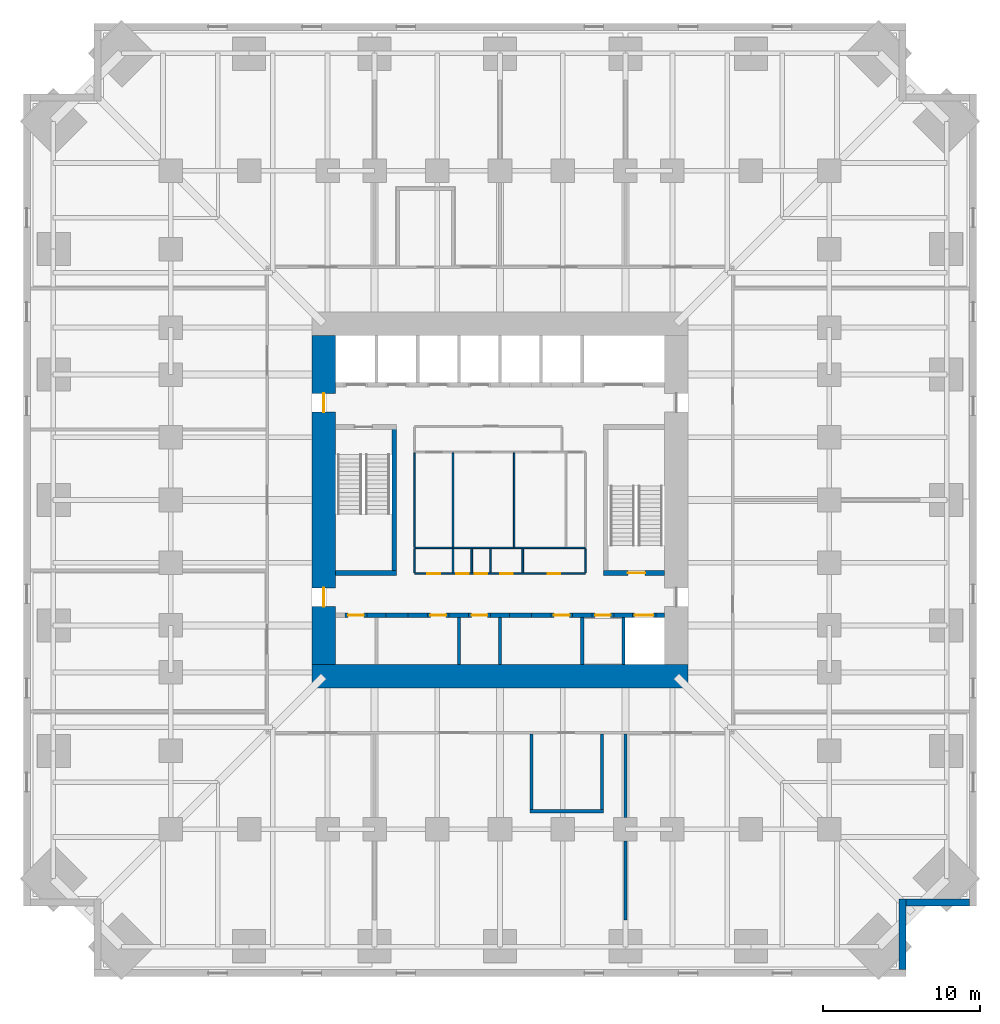
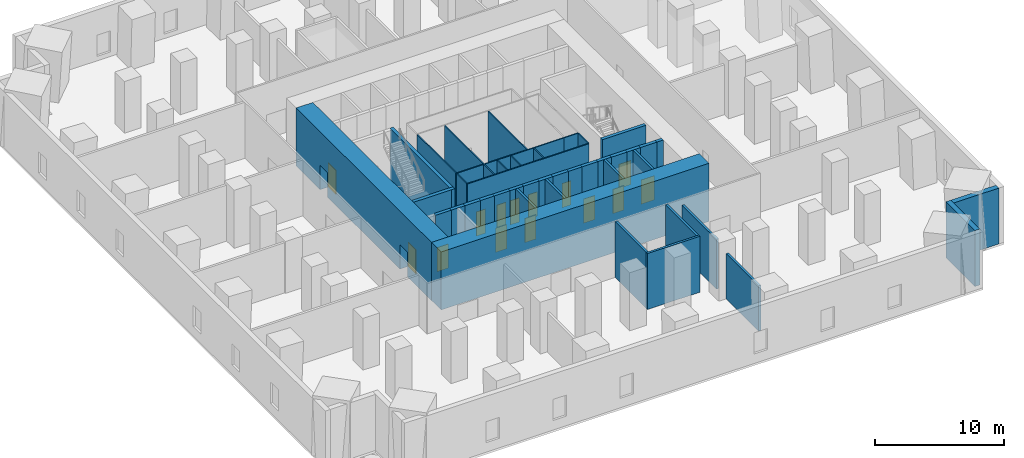
# One storey, part 4 of 8: 44 walls, 14 doors, 14 openings.
"""IFC4 building model written with IfcOpenShell, lengths in metres."""

from ifc_helpers import new_model, si_unit, direction, frame, frame_2d, origin, place, context, subcontext, project, spatial, rectangle, extrude, material, layer, layer_set, type_object, element, fill, save


model = new_model("IFC4")

# Units and contexts
model_context = context("Model", 3, precision=1e-05, world=origin(), true_north=direction((0.0, 1.0)))
body_context = subcontext(model_context, "Body", "Model", "MODEL_VIEW")
ifc_project = project(units=[si_unit("LENGTHUNIT", "METRE"), si_unit("AREAUNIT", "SQUARE_METRE"), si_unit("VOLUMEUNIT", "CUBIC_METRE"), si_unit("PLANEANGLEUNIT", "RADIAN"), si_unit("MASSUNIT", "GRAM", prefix="KILO")], contexts=[model_context])

# Site, building, storey
site_placement = place(None, origin())
site = spatial("IfcSite", under=ifc_project, at=site_placement, CompositionType="ELEMENT")
building_placement = place(site_placement, origin())
building = spatial("IfcBuilding", under=site, at=building_placement, Name="Peilmerk Tower", CompositionType="ELEMENT")
storey_placement = place(building_placement, frame((0.0, 0.0, 59.5)))
storey = spatial("IfcBuildingStorey", under=building, at=storey_placement, Name="L11", CompositionType="ELEMENT", Elevation=59.5)

# Walls
ifc_material_1 = material(Name="Precast concrete C45/55, board-marked finish", Category="concrete")
ifc_layer_1 = layer(ifc_material_1, 0.449951171875)
ifc_layer_set_1 = layer_set([ifc_layer_1], Name="Precast concrete C45/55, board-marked finish")
wall_type_1 = type_object("IfcWallType", Name="EW1 450 precast concrete facade wall, board-marked", PredefinedType="SOLIDWALL", material=ifc_layer_set_1)
wall_1_placement = place(storey_placement, frame((25.675048828125, -25.449951171875, 0.0), z_axis=(0.0, 0.0, 1.0), x_axis=(0.0, -1.0, 0.0)))
element("IfcWall", 1, at=wall_1_placement, inside=storey, type_object=wall_type_1, Name="Facade wall SEA L11", PredefinedType="SOLIDWALL", context=body_context, shape_type="SweptSolid", body=[
    extrude(rectangle(XDim=4.5, YDim=0.449951171875, at=frame_2d((2.25, 0.0))), origin(), (0.0, 0.0, 1.0), 5.300048828125),
])
wall_2_placement = place(storey_placement, frame((25.89990234375, -25.675048828125, 0.0), z_axis=(0.0, 0.0, 1.0), x_axis=(1.0, 0.0, 0.0)))
element("IfcWall", 2, at=wall_2_placement, inside=storey, type_object=wall_type_1, Name="Facade wall SEB L11", PredefinedType="SOLIDWALL", context=body_context, shape_type="SweptSolid", body=[
    extrude(rectangle(XDim=4.050048828125, YDim=0.449951171875, at=frame_2d((2.02490234375, 0.0))), origin(), (0.0, 0.0, 1.0), 5.300048828125),
])
ifc_material_2 = material(Name="Calcium silicate block", Category="masonry")
ifc_layer_2 = layer(ifc_material_2, 0.199951171875)
ifc_layer_set_2 = layer_set([ifc_layer_2], Name="Calcium silicate block")
wall_type_2 = type_object("IfcWallType", Name="IW2 200 room separating wall, EI 120", PredefinedType="PARTITIONING", material=ifc_layer_set_2)
wall_3_placement = place(storey_placement, frame((8.0, -14.925048828125, 0.0), z_axis=(0.0, 0.0, 1.0), x_axis=(0.0, -1.0, 0.0)))
element("IfcWall", 3, at=wall_3_placement, inside=storey, type_object=wall_type_2, Name="Room separating wall S2 L11", PredefinedType="PARTITIONING", context=body_context, shape_type="SweptSolid", body=[
    extrude(rectangle(XDim=5.324951171875, YDim=0.199951171875, at=frame_2d((2.66259765625, 0.0))), origin(), (0.0, 0.0, 1.0), 4.73095703125),
])
wall_4_placement = place(storey_placement, frame((8.0, -21.75, 0.0), z_axis=(0.0, 0.0, 1.0), x_axis=(0.0, -1.0, 0.0)))
element("IfcWall", 4, at=wall_4_placement, inside=storey, type_object=wall_type_2, Name="Room separating wall S2b L11", PredefinedType="PARTITIONING", context=body_context, shape_type="SweptSolid", body=[
    extrude(rectangle(XDim=5.040771484375, YDim=0.199951171875, at=frame_2d((2.5205078125, 0.0))), origin(), (0.0, 0.0, 1.0), 4.300048828125),
])
wall_5_placement = place(storey_placement, frame((1.89990234375, -19.85009765625, 0.0), z_axis=(0.0, 0.0, 1.0), x_axis=(1.0, 0.0, 0.0)))
element("IfcWall", 5, at=wall_5_placement, inside=storey, type_object=wall_type_2, Name="Room separating wall Security control room L11", PredefinedType="PARTITIONING", context=body_context, shape_type="SweptSolid", body=[
    extrude(rectangle(XDim=4.7001953125, YDim=0.199951171875, at=frame_2d((2.35009765625, 0.0))), origin(), (0.0, 0.0, 1.0), 5.300048828125),
])
for number, where, z_axis, x_axis, name in (
    (6, (2.0, -14.925048828125, 0.0), (0.0, 0.0, 1.0), (0.0, -1.0, 0.0), "Room separating wall Security control room L11"),
    (7, (6.5, -14.925048828125, 0.0), (0.0, 0.0, 1.0), (0.0, -1.0, 0.0), "Room separating wall Security control room L11"),
):
    element("IfcWall", number, at=place(storey_placement, frame(where, z_axis=z_axis, x_axis=x_axis)), inside=storey, type_object=wall_type_2, Name=name, PredefinedType="PARTITIONING", context=body_context, shape_type="SweptSolid", body=[
        extrude(rectangle(XDim=4.824951171875, YDim=0.199951171875, at=frame_2d((2.41259765625, 0.0))), origin(), (0.0, 0.0, 1.0), 5.300048828125),
    ])
ifc_material_3 = material(Name="Concrete C35/45", Category="concrete")
ifc_layer_3 = layer(ifc_material_3, 0.300048828125)
ifc_layer_set_3 = layer_set([ifc_layer_3], Name="Concrete C35/45")
wall_type_3 = type_object("IfcWallType", Name="IW3 300 concrete stair enclosure wall, EI 120", PredefinedType="SOLIDWALL", material=ifc_layer_set_3)
wall_6_placement = place(storey_placement, frame((-6.75, -4.800048828125, 0.0), z_axis=(0.0, 0.0, 1.0), x_axis=(0.0, 1.0, 0.0)))
element("IfcWall", 8, at=wall_6_placement, inside=storey, type_object=wall_type_3, Name="Stair 1 enclosure L11", PredefinedType="SOLIDWALL", context=body_context, shape_type="SweptSolid", body=[
    extrude(rectangle(XDim=9.60009765625, YDim=0.300048828125, at=frame_2d((4.800048828125, 0.0))), origin(), (0.0, 0.0, 1.0), 5.25),
])
wall_7_placement = place(storey_placement, frame((-6.60009765625, -4.64990234375, 0.0), z_axis=(0.0, 0.0, 1.0), x_axis=(-1.0, 0.0, 0.0)))
element("IfcWall", 9, at=wall_7_placement, inside=storey, type_object=wall_type_3, Name="Stair 1 enclosure L11", PredefinedType="SOLIDWALL", context=body_context, shape_type="SweptSolid", body=[
    extrude(rectangle(XDim=3.89990234375, YDim=0.300048828125, at=frame_2d((1.949951171875, 0.0))), origin(), (0.0, 0.0, 1.0), 5.25),
])

# Wall, opening, door
wall_8_placement = place(storey_placement, frame((10.5, -4.64990234375, 0.0), z_axis=(0.0, 0.0, 1.0), x_axis=(-1.0, 0.0, 0.0)))
wall_8 = element("IfcWall", 10, at=wall_8_placement, inside=storey, type_object=wall_type_3, Name="Stair 2 enclosure L11", PredefinedType="SOLIDWALL", context=body_context, shape_type="SweptSolid", body=[
    extrude(rectangle(XDim=3.89990234375, YDim=0.300048828125, at=frame_2d((1.949951171875, 0.0))), origin(), (0.0, 0.0, 1.0), 5.25),
])
opening_1_placement = place(wall_8_placement, frame((1.25, 0.0, 0.0)))
opening_1 = element("IfcOpeningElement", 11, at=opening_1_placement, cuts=wall_8, Name="Opening D4", PredefinedType="OPENING", context=body_context, shape_type="SweptSolid", body=[
    extrude(rectangle(XDim=1.10009765625, YDim=2.300048828125, at=frame_2d((0.550048828125, 1.14990234375))), frame((0.0, 0.159912109375, 0.0), z_axis=(0.0, -1.0, 0.0), x_axis=(1.0, 0.0, 0.0)), (0.0, 0.0, 1.0), 0.320068359375),
])
ifc_material_4 = material(Name="Steel door in steel frame", Category="steel")
door_type_1 = type_object("IfcDoorType", Name="D4 1100x2300 stair door, EI2 60", OperationType="SINGLE_SWING_RIGHT", PredefinedType="DOOR", material=ifc_material_4)
door_1_placement = place(opening_1_placement, frame((1.10009765625, 0.0, 0.0), z_axis=(0.0, 0.0, 1.0), x_axis=(-1.0, 0.0, 0.0)))
door_1 = element("IfcDoor", 12, at=door_1_placement, inside=storey, type_object=door_type_1, Name="Stair 2 door L11", OperationType="SINGLE_SWING_RIGHT", OverallHeight=2.300048828125, OverallWidth=1.10009765625, PredefinedType="DOOR", context=body_context, shape_type="SweptSolid", body=[
    extrude(rectangle(XDim=1.10009765625, YDim=2.300048828125, at=frame_2d((0.550048828125, 1.14990234375))), frame((0.0, 0.02490234375, 0.0), z_axis=(0.0, -1.0, 0.0), x_axis=(1.0, 0.0, 0.0)), (0.0, 0.0, 1.0), 0.050048828125),
])
fill(opening_1, door_1)

# Walls
ifc_material_5 = material(Name="Plasterboard on steel studs", Category="steel")
ifc_layer_4 = layer(ifc_material_5, 0.10009765625)
ifc_layer_set_4 = layer_set([ifc_layer_4], Name="Plasterboard on steel studs")
wall_type_4 = type_object("IfcWallType", Name="IW4 100 WC partition", PredefinedType="PARTITIONING", material=ifc_layer_set_4)
wall_9_placement = place(storey_placement, frame((4.14990234375, -3.050048828125, 0.0), z_axis=(0.0, 0.0, 1.0), x_axis=(-1.0, 0.0, 0.0)))
element("IfcWall", 13, at=wall_9_placement, inside=storey, type_object=wall_type_4, Name="WC wall L11", PredefinedType="PARTITIONING", context=body_context, shape_type="SweptSolid", body=[
    extrude(rectangle(XDim=9.599853515625, YDim=0.10009765625, at=frame_2d((4.7998046875, 0.0))), origin(), (0.0, 0.0, 1.0), 5.25),
])
for number, where, z_axis, x_axis, name in (
    (14, (-5.449951171875, -3.0, 0.0), (0.0, 0.0, 1.0), (0.0, 1.0, 0.0), "WC wall L11"),
    (15, (-3.0, -3.0, 0.0), (0.0, 0.0, 1.0), (0.0, 1.0, 0.0), "WC wall L11"),
    (16, (0.89990234375, -3.0, 0.0), (0.0, 0.0, 1.0), (0.0, 1.0, 0.0), "WC wall L11"),
):
    element("IfcWall", number, at=place(storey_placement, frame(where, z_axis=z_axis, x_axis=x_axis)), inside=storey, type_object=wall_type_4, Name=name, PredefinedType="PARTITIONING", context=body_context, shape_type="SweptSolid", body=[
        extrude(rectangle(XDim=6.0, YDim=0.10009765625, at=frame_2d((3.0, 0.0))), origin(), (0.0, 0.0, 1.0), 5.25),
    ])
ifc_material_6 = material(Name="Calcium silicate board on steel studs", Category="steel")
ifc_layer_5 = layer(ifc_material_6, 0.10009765625)
ifc_layer_set_5 = layer_set([ifc_layer_5], Name="Calcium silicate board on steel studs")
wall_type_5 = type_object("IfcWallType", Name="IW5 100 riser enclosure wall, EI 60", PredefinedType="PARTITIONING", material=ifc_layer_set_5)
wall_10_placement = place(storey_placement, frame((5.449951171875, -3.050048828125, 0.0), z_axis=(0.0, 0.0, 1.0), x_axis=(-1.0, 0.0, 0.0)))
element("IfcWall", 17, at=wall_10_placement, inside=storey, type_object=wall_type_5, Name="Riser wall L11", PredefinedType="PARTITIONING", context=body_context, shape_type="SweptSolid", body=[
    extrude(rectangle(XDim=1.300048828125, YDim=0.10009765625, at=frame_2d((0.64990234375, 0.0))), origin(), (0.0, 0.0, 1.0), 5.25),
])

# Wall, openings, doors
wall_11_placement = place(storey_placement, frame((5.449951171875, -4.699951171875, 0.0), z_axis=(0.0, 0.0, 1.0), x_axis=(-1.0, 0.0, 0.0)))
wall_11 = element("IfcWall", 18, at=wall_11_placement, inside=storey, type_object=wall_type_5, Name="Riser wall L11", PredefinedType="PARTITIONING", context=body_context, shape_type="SweptSolid", body=[
    extrude(rectangle(XDim=10.89990234375, YDim=0.10009765625, at=frame_2d((5.449951171875, 0.0))), origin(), (0.0, 0.0, 1.0), 5.25),
])
opening_2_placement = place(wall_11_placement, frame((9.27490234375, 0.0, 0.0)))
opening_2 = element("IfcOpeningElement", 19, at=opening_2_placement, cuts=wall_11, Name="Opening D7", PredefinedType="OPENING", context=body_context, shape_type="SweptSolid", body=[
    extrude(rectangle(XDim=0.800048828125, YDim=2.300048828125, at=frame_2d((0.39990234375, 1.14990234375))), frame((0.0, 0.06005859375, 0.0), z_axis=(0.0, -1.0, 0.0), x_axis=(1.0, 0.0, 0.0)), (0.0, 0.0, 1.0), 0.1201171875),
])
opening_3_placement = place(wall_11_placement, frame((7.449951171875, 0.0, 0.0)))
opening_3 = element("IfcOpeningElement", 20, at=opening_3_placement, cuts=wall_11, Name="Opening D7", PredefinedType="OPENING", context=body_context, shape_type="SweptSolid", body=[
    extrude(rectangle(XDim=0.800048828125, YDim=2.300048828125, at=frame_2d((0.39990234375, 1.14990234375))), frame((0.0, 0.06005859375, 0.0), z_axis=(0.0, -1.0, 0.0), x_axis=(1.0, 0.0, 0.0)), (0.0, 0.0, 1.0), 0.1201171875),
])
opening_4_placement = place(wall_11_placement, frame((6.25, 0.0, 0.0)))
opening_4 = element("IfcOpeningElement", 21, at=opening_4_placement, cuts=wall_11, Name="Opening D7", PredefinedType="OPENING", context=body_context, shape_type="SweptSolid", body=[
    extrude(rectangle(XDim=0.800048828125, YDim=2.300048828125, at=frame_2d((0.39990234375, 1.14990234375))), frame((0.0, 0.06005859375, 0.0), z_axis=(0.0, -1.0, 0.0), x_axis=(1.0, 0.0, 0.0)), (0.0, 0.0, 1.0), 0.1201171875),
])
opening_5_placement = place(wall_11_placement, frame((4.625, 0.0, 0.0)))
opening_5 = element("IfcOpeningElement", 22, at=opening_5_placement, cuts=wall_11, Name="Opening D7", PredefinedType="OPENING", context=body_context, shape_type="SweptSolid", body=[
    extrude(rectangle(XDim=0.800048828125, YDim=2.300048828125, at=frame_2d((0.39990234375, 1.14990234375))), frame((0.0, 0.06005859375, 0.0), z_axis=(0.0, -1.0, 0.0), x_axis=(1.0, 0.0, 0.0)), (0.0, 0.0, 1.0), 0.1201171875),
])
opening_6_placement = place(wall_11_placement, frame((1.60009765625, 0.0, 0.0)))
opening_6 = element("IfcOpeningElement", 23, at=opening_6_placement, cuts=wall_11, Name="Opening D7", PredefinedType="OPENING", context=body_context, shape_type="SweptSolid", body=[
    extrude(rectangle(XDim=0.800048828125, YDim=2.300048828125, at=frame_2d((0.39990234375, 1.14990234375))), frame((0.0, 0.06005859375, 0.0), z_axis=(0.0, -1.0, 0.0), x_axis=(1.0, 0.0, 0.0)), (0.0, 0.0, 1.0), 0.1201171875),
])
door_type_2 = type_object("IfcDoorType", Name="D7 800x2300 riser access door, EI2 60", OperationType="SINGLE_SWING_RIGHT", PredefinedType="DOOR", material=ifc_material_4)
door_2_placement = place(opening_2_placement, frame((0.800048828125, 0.0, 0.0), z_axis=(0.0, 0.0, 1.0), x_axis=(-1.0, 0.0, 0.0)))
door_2 = element("IfcDoor", 24, at=door_2_placement, inside=storey, type_object=door_type_2, Name="Cleaner's cupboard door L11", OperationType="SINGLE_SWING_RIGHT", OverallHeight=2.300048828125, OverallWidth=0.800048828125, PredefinedType="DOOR", context=body_context, shape_type="SweptSolid", body=[
    extrude(rectangle(XDim=0.800048828125, YDim=2.300048828125, at=frame_2d((0.39990234375, 1.14990234375))), frame((0.0, 0.02490234375, 0.0), z_axis=(0.0, -1.0, 0.0), x_axis=(1.0, 0.0, 0.0)), (0.0, 0.0, 1.0), 0.050048828125),
])
fill(opening_2, door_2)
door_3_placement = place(opening_3_placement, frame((0.800048828125, 0.0, 0.0), z_axis=(0.0, 0.0, 1.0), x_axis=(-1.0, 0.0, 0.0)))
door_3 = element("IfcDoor", 25, at=door_3_placement, inside=storey, type_object=door_type_2, Name="Electrical riser door L11", OperationType="SINGLE_SWING_RIGHT", OverallHeight=2.300048828125, OverallWidth=0.800048828125, PredefinedType="DOOR", context=body_context, shape_type="SweptSolid", body=[
    extrude(rectangle(XDim=0.800048828125, YDim=2.300048828125, at=frame_2d((0.39990234375, 1.14990234375))), frame((0.0, 0.02490234375, 0.0), z_axis=(0.0, -1.0, 0.0), x_axis=(1.0, 0.0, 0.0)), (0.0, 0.0, 1.0), 0.050048828125),
])
fill(opening_3, door_3)
door_4_placement = place(opening_4_placement, frame((0.800048828125, 0.0, 0.0), z_axis=(0.0, 0.0, 1.0), x_axis=(-1.0, 0.0, 0.0)))
door_4 = element("IfcDoor", 26, at=door_4_placement, inside=storey, type_object=door_type_2, Name="Data riser door L11", OperationType="SINGLE_SWING_RIGHT", OverallHeight=2.300048828125, OverallWidth=0.800048828125, PredefinedType="DOOR", context=body_context, shape_type="SweptSolid", body=[
    extrude(rectangle(XDim=0.800048828125, YDim=2.300048828125, at=frame_2d((0.39990234375, 1.14990234375))), frame((0.0, 0.02490234375, 0.0), z_axis=(0.0, -1.0, 0.0), x_axis=(1.0, 0.0, 0.0)), (0.0, 0.0, 1.0), 0.050048828125),
])
fill(opening_4, door_4)
door_5_placement = place(opening_5_placement, frame((0.800048828125, 0.0, 0.0), z_axis=(0.0, 0.0, 1.0), x_axis=(-1.0, 0.0, 0.0)))
door_5 = element("IfcDoor", 27, at=door_5_placement, inside=storey, type_object=door_type_2, Name="Electrical room door L11", OperationType="SINGLE_SWING_RIGHT", OverallHeight=2.300048828125, OverallWidth=0.800048828125, PredefinedType="DOOR", context=body_context, shape_type="SweptSolid", body=[
    extrude(rectangle(XDim=0.800048828125, YDim=2.300048828125, at=frame_2d((0.39990234375, 1.14990234375))), frame((0.0, 0.02490234375, 0.0), z_axis=(0.0, -1.0, 0.0), x_axis=(1.0, 0.0, 0.0)), (0.0, 0.0, 1.0), 0.050048828125),
])
fill(opening_5, door_5)
door_6_placement = place(opening_6_placement, frame((0.800048828125, 0.0, 0.0), z_axis=(0.0, 0.0, 1.0), x_axis=(-1.0, 0.0, 0.0)))
door_6 = element("IfcDoor", 28, at=door_6_placement, inside=storey, type_object=door_type_2, Name="Comms room door L11", OperationType="SINGLE_SWING_RIGHT", OverallHeight=2.300048828125, OverallWidth=0.800048828125, PredefinedType="DOOR", context=body_context, shape_type="SweptSolid", body=[
    extrude(rectangle(XDim=0.800048828125, YDim=2.300048828125, at=frame_2d((0.39990234375, 1.14990234375))), frame((0.0, 0.02490234375, 0.0), z_axis=(0.0, -1.0, 0.0), x_axis=(1.0, 0.0, 0.0)), (0.0, 0.0, 1.0), 0.050048828125),
])
fill(opening_6, door_6)

# Walls
for number, where, z_axis, x_axis, name in (
    (29, (-5.449951171875, -3.10009765625, 0.0), (0.0, 0.0, 1.0), (0.0, -1.0, 0.0), "Riser wall L11"),
    (30, (5.449951171875, -3.10009765625, 0.0), (0.0, 0.0, 1.0), (0.0, -1.0, 0.0), "Riser wall L11"),
    (31, (-3.0, -3.10009765625, 0.0), (0.0, 0.0, 1.0), (0.0, -1.0, 0.0), "Riser wall L11"),
    (32, (-1.800048828125, -3.10009765625, 0.0), (0.0, 0.0, 1.0), (0.0, -1.0, 0.0), "Riser wall L11"),
    (33, (-0.60009765625, -3.10009765625, 0.0), (0.0, 0.0, 1.0), (0.0, -1.0, 0.0), "Riser wall L11"),
    (34, (1.449951171875, -3.10009765625, 0.0), (0.0, 0.0, 1.0), (0.0, -1.0, 0.0), "Riser wall L11"),
):
    element("IfcWall", number, at=place(storey_placement, frame(where, z_axis=z_axis, x_axis=x_axis)), inside=storey, type_object=wall_type_5, Name=name, PredefinedType="PARTITIONING", context=body_context, shape_type="SweptSolid", body=[
        extrude(rectangle(XDim=1.5498046875, YDim=0.10009765625, at=frame_2d((0.77490234375, 0.0))), origin(), (0.0, 0.0, 1.0), 5.25),
    ])
ifc_layer_6 = layer(ifc_material_2, 0.199951171875)
ifc_layer_set_6 = layer_set([ifc_layer_6], Name="Calcium silicate block")
wall_type_6 = type_object("IfcWallType", Name="SH1 200 shaft dividing wall, EI 120", PredefinedType="PARTITIONING", material=ifc_layer_set_6)
for number, where, z_axis, x_axis, name in (
    (35, (-2.625, -10.5, 0.0), (0.0, 0.0, 1.0), (0.0, 1.0, 0.0), "Shaft wall S C2 L11"),
    (36, (0.0, -10.5, 0.0), (0.0, 0.0, 1.0), (0.0, 1.0, 0.0), "Shaft wall S C1 L11"),
    (37, (5.25, -10.5, 0.0), (0.0, 0.0, 1.0), (0.0, 1.0, 0.0), "Shaft wall S B2 L11"),
    (38, (7.875, -10.5, 0.0), (0.0, 0.0, 1.0), (0.0, 1.0, 0.0), "Shaft wall S B1 L11"),
):
    element("IfcWall", number, at=place(storey_placement, frame(where, z_axis=z_axis, x_axis=x_axis)), inside=storey, type_object=wall_type_6, Name=name, PredefinedType="PARTITIONING", context=body_context, shape_type="SweptSolid", body=[
        extrude(rectangle(XDim=3.0, YDim=0.199951171875, at=frame_2d((1.5, 0.0))), origin(), (0.0, 0.0, 1.0), 5.5),
    ])

# Wall, opening, door
ifc_layer_7 = layer(ifc_material_2, 0.300048828125)
ifc_layer_set_7 = layer_set([ifc_layer_7], Name="Calcium silicate block")
wall_type_7 = type_object("IfcWallType", Name="SH2 300 lift landing door panel, EI 120", PredefinedType="PARTITIONING", material=ifc_layer_set_7)
wall_12_placement = place(storey_placement, frame((-9.887451171875, -7.35009765625, 0.0), z_axis=(0.0, 0.0, 1.0), x_axis=(1.0, 0.0, 0.0)))
wall_12 = element("IfcWall", 39, at=wall_12_placement, inside=storey, type_object=wall_type_7, Name="Lift door panel S C4 L11", PredefinedType="PARTITIONING", context=body_context, shape_type="SweptSolid", body=[
    extrude(rectangle(XDim=1.39990234375, YDim=0.300048828125, at=frame_2d((0.699951171875, 0.0))), origin(), (0.0, 0.0, 1.0), 5.5),
])
opening_7_placement = place(wall_12_placement, frame((0.199951171875, 0.0, 0.0)))
opening_7 = element("IfcOpeningElement", 40, at=opening_7_placement, cuts=wall_12, Name="Opening D10", PredefinedType="OPENING", context=body_context, shape_type="SweptSolid", body=[
    extrude(rectangle(XDim=1.0, YDim=2.300048828125, at=frame_2d((0.5, 1.14990234375))), frame((0.0, 0.159912109375, 0.0), z_axis=(0.0, -1.0, 0.0), x_axis=(1.0, 0.0, 0.0)), (0.0, 0.0, 1.0), 0.320068359375),
])
door_type_3 = type_object("IfcDoorType", Name="D10 1000x2300 core room door, EI2 60", OperationType="SINGLE_SWING_RIGHT", PredefinedType="DOOR", material=ifc_material_4)
door_7_placement = place(opening_7_placement, frame((1.0, 0.0, 0.0), z_axis=(0.0, 0.0, 1.0), x_axis=(-1.0, 0.0, 0.0)))
door_7 = element("IfcDoor", 41, at=door_7_placement, inside=storey, type_object=door_type_3, Name="Door Water meter room L11", OperationType="SINGLE_SWING_RIGHT", OverallHeight=2.300048828125, OverallWidth=1.0, PredefinedType="DOOR", context=body_context, shape_type="SweptSolid", body=[
    extrude(rectangle(XDim=1.0, YDim=2.300048828125, at=frame_2d((0.5, 1.14990234375))), frame((0.0, 0.02490234375, 0.0), z_axis=(0.0, -1.0, 0.0), x_axis=(1.0, 0.0, 0.0)), (0.0, 0.0, 1.0), 0.050048828125),
])
fill(opening_7, door_7)

# Wall
wall_13_placement = place(storey_placement, frame((-7.262451171875, -7.35009765625, 0.0), z_axis=(0.0, 0.0, 1.0), x_axis=(1.0, 0.0, 0.0)))
element("IfcWall", 42, at=wall_13_placement, inside=storey, type_object=wall_type_7, Name="Lift door panel S C3 L11", PredefinedType="PARTITIONING", context=body_context, shape_type="SweptSolid", body=[
    extrude(rectangle(XDim=1.39990234375, YDim=0.300048828125, at=frame_2d((0.699951171875, 0.0))), origin(), (0.0, 0.0, 1.0), 5.5),
])

# Wall, opening, door
wall_14_placement = place(storey_placement, frame((-4.637451171875, -7.35009765625, 0.0), z_axis=(0.0, 0.0, 1.0), x_axis=(1.0, 0.0, 0.0)))
wall_14 = element("IfcWall", 43, at=wall_14_placement, inside=storey, type_object=wall_type_7, Name="Lift door panel S C2 L11", PredefinedType="PARTITIONING", context=body_context, shape_type="SweptSolid", body=[
    extrude(rectangle(XDim=1.39990234375, YDim=0.300048828125, at=frame_2d((0.699951171875, 0.0))), origin(), (0.0, 0.0, 1.0), 5.5),
])
opening_8_placement = place(wall_14_placement, frame((0.199951171875, 0.0, 0.0)))
opening_8 = element("IfcOpeningElement", 44, at=opening_8_placement, cuts=wall_14, Name="Opening D10", PredefinedType="OPENING", context=body_context, shape_type="SweptSolid", body=[
    extrude(rectangle(XDim=1.0, YDim=2.300048828125, at=frame_2d((0.5, 1.14990234375))), frame((0.0, 0.159912109375, 0.0), z_axis=(0.0, -1.0, 0.0), x_axis=(1.0, 0.0, 0.0)), (0.0, 0.0, 1.0), 0.320068359375),
])
door_8_placement = place(opening_8_placement, frame((1.0, 0.0, 0.0), z_axis=(0.0, 0.0, 1.0), x_axis=(-1.0, 0.0, 0.0)))
door_8 = element("IfcDoor", 45, at=door_8_placement, inside=storey, type_object=door_type_3, Name="Door Vending room L11", OperationType="SINGLE_SWING_RIGHT", OverallHeight=2.300048828125, OverallWidth=1.0, PredefinedType="DOOR", context=body_context, shape_type="SweptSolid", body=[
    extrude(rectangle(XDim=1.0, YDim=2.300048828125, at=frame_2d((0.5, 1.14990234375))), frame((0.0, 0.02490234375, 0.0), z_axis=(0.0, -1.0, 0.0), x_axis=(1.0, 0.0, 0.0)), (0.0, 0.0, 1.0), 0.050048828125),
])
fill(opening_8, door_8)

wall_15_placement = place(storey_placement, frame((-2.012451171875, -7.35009765625, 0.0), z_axis=(0.0, 0.0, 1.0), x_axis=(1.0, 0.0, 0.0)))
wall_15 = element("IfcWall", 46, at=wall_15_placement, inside=storey, type_object=wall_type_7, Name="Lift door panel S C1 L11", PredefinedType="PARTITIONING", context=body_context, shape_type="SweptSolid", body=[
    extrude(rectangle(XDim=1.39990234375, YDim=0.300048828125, at=frame_2d((0.699951171875, 0.0))), origin(), (0.0, 0.0, 1.0), 5.5),
])
opening_9_placement = place(wall_15_placement, frame((0.199951171875, 0.0, 0.0)))
opening_9 = element("IfcOpeningElement", 47, at=opening_9_placement, cuts=wall_15, Name="Opening D10", PredefinedType="OPENING", context=body_context, shape_type="SweptSolid", body=[
    extrude(rectangle(XDim=1.0, YDim=2.300048828125, at=frame_2d((0.5, 1.14990234375))), frame((0.0, 0.159912109375, 0.0), z_axis=(0.0, -1.0, 0.0), x_axis=(1.0, 0.0, 0.0)), (0.0, 0.0, 1.0), 0.320068359375),
])
door_9_placement = place(opening_9_placement, frame((1.0, 0.0, 0.0), z_axis=(0.0, 0.0, 1.0), x_axis=(-1.0, 0.0, 0.0)))
door_9 = element("IfcDoor", 48, at=door_9_placement, inside=storey, type_object=door_type_3, Name="Door Staff WC L11", OperationType="SINGLE_SWING_RIGHT", OverallHeight=2.300048828125, OverallWidth=1.0, PredefinedType="DOOR", context=body_context, shape_type="SweptSolid", body=[
    extrude(rectangle(XDim=1.0, YDim=2.300048828125, at=frame_2d((0.5, 1.14990234375))), frame((0.0, 0.02490234375, 0.0), z_axis=(0.0, -1.0, 0.0), x_axis=(1.0, 0.0, 0.0)), (0.0, 0.0, 1.0), 0.050048828125),
])
fill(opening_9, door_9)

# Wall
wall_16_placement = place(storey_placement, frame((0.612548828125, -7.35009765625, 0.0), z_axis=(0.0, 0.0, 1.0), x_axis=(1.0, 0.0, 0.0)))
element("IfcWall", 49, at=wall_16_placement, inside=storey, type_object=wall_type_7, Name="Lift door panel S B3 L11", PredefinedType="PARTITIONING", context=body_context, shape_type="SweptSolid", body=[
    extrude(rectangle(XDim=1.39990234375, YDim=0.300048828125, at=frame_2d((0.699951171875, 0.0))), origin(), (0.0, 0.0, 1.0), 5.5),
])

# Wall, opening, door
wall_17_placement = place(storey_placement, frame((3.237548828125, -7.35009765625, 0.0), z_axis=(0.0, 0.0, 1.0), x_axis=(1.0, 0.0, 0.0)))
wall_17 = element("IfcWall", 50, at=wall_17_placement, inside=storey, type_object=wall_type_7, Name="Lift door panel S B2 L11", PredefinedType="PARTITIONING", context=body_context, shape_type="SweptSolid", body=[
    extrude(rectangle(XDim=1.39990234375, YDim=0.300048828125, at=frame_2d((0.699951171875, 0.0))), origin(), (0.0, 0.0, 1.0), 5.5),
])
opening_10_placement = place(wall_17_placement, frame((0.199951171875, 0.0, 0.0)))
opening_10 = element("IfcOpeningElement", 51, at=opening_10_placement, cuts=wall_17, Name="Opening D10", PredefinedType="OPENING", context=body_context, shape_type="SweptSolid", body=[
    extrude(rectangle(XDim=1.0, YDim=2.300048828125, at=frame_2d((0.5, 1.14990234375))), frame((0.0, 0.159912109375, 0.0), z_axis=(0.0, -1.0, 0.0), x_axis=(1.0, 0.0, 0.0)), (0.0, 0.0, 1.0), 0.320068359375),
])
door_10_placement = place(opening_10_placement, frame((1.0, 0.0, 0.0), z_axis=(0.0, 0.0, 1.0), x_axis=(-1.0, 0.0, 0.0)))
door_10 = element("IfcDoor", 52, at=door_10_placement, inside=storey, type_object=door_type_3, Name="Door IT room L11", OperationType="SINGLE_SWING_RIGHT", OverallHeight=2.300048828125, OverallWidth=1.0, PredefinedType="DOOR", context=body_context, shape_type="SweptSolid", body=[
    extrude(rectangle(XDim=1.0, YDim=2.300048828125, at=frame_2d((0.5, 1.14990234375))), frame((0.0, 0.02490234375, 0.0), z_axis=(0.0, -1.0, 0.0), x_axis=(1.0, 0.0, 0.0)), (0.0, 0.0, 1.0), 0.050048828125),
])
fill(opening_10, door_10)

wall_18_placement = place(storey_placement, frame((5.862548828125, -7.35009765625, 0.0), z_axis=(0.0, 0.0, 1.0), x_axis=(1.0, 0.0, 0.0)))
wall_18 = element("IfcWall", 53, at=wall_18_placement, inside=storey, type_object=wall_type_7, Name="Lift door panel S B1 L11", PredefinedType="PARTITIONING", context=body_context, shape_type="SweptSolid", body=[
    extrude(rectangle(XDim=1.39990234375, YDim=0.300048828125, at=frame_2d((0.699951171875, 0.0))), origin(), (0.0, 0.0, 1.0), 5.5),
])
opening_11_placement = place(wall_18_placement, frame((0.199951171875, 0.0, 0.0)))
opening_11 = element("IfcOpeningElement", 54, at=opening_11_placement, cuts=wall_18, Name="Opening D10", PredefinedType="OPENING", context=body_context, shape_type="SweptSolid", body=[
    extrude(rectangle(XDim=1.0, YDim=2.300048828125, at=frame_2d((0.5, 1.14990234375))), frame((0.0, 0.159912109375, 0.0), z_axis=(0.0, -1.0, 0.0), x_axis=(1.0, 0.0, 0.0)), (0.0, 0.0, 1.0), 0.320068359375),
])
door_11_placement = place(opening_11_placement, frame((1.0, 0.0, 0.0), z_axis=(0.0, 0.0, 1.0), x_axis=(-1.0, 0.0, 0.0)))
door_11 = element("IfcDoor", 55, at=door_11_placement, inside=storey, type_object=door_type_3, Name="Door Pantry L11", OperationType="SINGLE_SWING_RIGHT", OverallHeight=2.300048828125, OverallWidth=1.0, PredefinedType="DOOR", context=body_context, shape_type="SweptSolid", body=[
    extrude(rectangle(XDim=1.0, YDim=2.300048828125, at=frame_2d((0.5, 1.14990234375))), frame((0.0, 0.02490234375, 0.0), z_axis=(0.0, -1.0, 0.0), x_axis=(1.0, 0.0, 0.0)), (0.0, 0.0, 1.0), 0.050048828125),
])
fill(opening_11, door_11)

wall_19_placement = place(storey_placement, frame((8.4375, -7.35009765625, 0.0), z_axis=(0.0, 0.0, 1.0), x_axis=(1.0, 0.0, 0.0)))
wall_19 = element("IfcWall", 56, at=wall_19_placement, inside=storey, type_object=wall_type_7, Name="Lift door panel S FL2 L11", PredefinedType="PARTITIONING", context=body_context, shape_type="SweptSolid", body=[
    extrude(rectangle(XDim=1.5, YDim=0.300048828125, at=frame_2d((0.75, 0.0))), origin(), (0.0, 0.0, 1.0), 5.5),
])
opening_12_placement = place(wall_19_placement, frame((0.14990234375, 0.0, 0.0)))
opening_12 = element("IfcOpeningElement", 57, at=opening_12_placement, cuts=wall_19, Name="Opening LD2", PredefinedType="OPENING", context=body_context, shape_type="SweptSolid", body=[
    extrude(rectangle(XDim=1.199951171875, YDim=2.300048828125, at=frame_2d((0.60009765625, 1.14990234375))), frame((0.0, 0.159912109375, 0.0), z_axis=(0.0, -1.0, 0.0), x_axis=(1.0, 0.0, 0.0)), (0.0, 0.0, 1.0), 0.320068359375),
])
ifc_material_7 = material(Name="Stainless steel landing door", Category="steel")
door_type_4 = type_object("IfcDoorType", Name="LD2 1200x2300 lift landing door, sliding, EI2 60", OperationType="SLIDING_TO_LEFT", PredefinedType="DOOR", material=ifc_material_7)
door_12_placement = place(opening_12_placement, origin())
door_12 = element("IfcDoor", 58, at=door_12_placement, inside=storey, type_object=door_type_4, Name="Lift landing door FL2 L11", OperationType="SLIDING_TO_LEFT", OverallHeight=2.300048828125, OverallWidth=1.199951171875, PredefinedType="DOOR", context=body_context, shape_type="SweptSolid", body=[
    extrude(rectangle(XDim=1.199951171875, YDim=2.300048828125, at=frame_2d((0.60009765625, 1.14990234375))), frame((0.0, 0.02490234375, 0.0), z_axis=(0.0, -1.0, 0.0), x_axis=(1.0, 0.0, 0.0)), (0.0, 0.0, 1.0), 0.050048828125),
])
fill(opening_12, door_12)

# Wall
ifc_material_8 = material(Name="Concrete C55/67", Category="concrete")
ifc_layer_8 = layer(ifc_material_8, 1.5)
ifc_layer_set_8 = layer_set([ifc_layer_8], Name="Concrete C55/67")
wall_type_8 = type_object("IfcWallType", Name="SW1 1500 core wall", PredefinedType="SHEAR", material=ifc_layer_set_8)
wall_20_placement = place(storey_placement, frame((12.0, -11.25, 0.0), z_axis=(0.0, 0.0, 1.0), x_axis=(-1.0, 0.0, 0.0)))
element("IfcWall", 59, at=wall_20_placement, inside=storey, type_object=wall_type_8, Name="Core wall S L11", PredefinedType="SHEAR", context=body_context, shape_type="SweptSolid", body=[
    extrude(rectangle(XDim=24.0, YDim=1.5, at=frame_2d((12.0, 0.0))), origin(), (0.0, 0.0, 1.0), 5.5),
])

# Wall, openings, doors
wall_21_placement = place(storey_placement, frame((-11.25, -10.5, 0.0), z_axis=(0.0, 0.0, 1.0), x_axis=(0.0, 1.0, 0.0)))
wall_21 = element("IfcWall", 60, at=wall_21_placement, inside=storey, type_object=wall_type_8, Name="Core wall W L11", PredefinedType="SHEAR", context=body_context, shape_type="SweptSolid", body=[
    extrude(rectangle(XDim=21.0, YDim=1.5, at=frame_2d((10.5, 0.0))), origin(), (0.0, 0.0, 1.0), 5.5),
])
opening_13_placement = place(wall_21_placement, frame((16.10009765625, 0.0, 0.0)))
opening_13 = element("IfcOpeningElement", 61, at=opening_13_placement, cuts=wall_21, Name="Opening D3", PredefinedType="OPENING", context=body_context, shape_type="SweptSolid", body=[
    extrude(rectangle(XDim=1.199951171875, YDim=2.300048828125, at=frame_2d((0.60009765625, 1.14990234375))), frame((0.0, 0.760009765625, 0.0), z_axis=(0.0, -1.0, 0.0), x_axis=(1.0, 0.0, 0.0)), (0.0, 0.0, 1.0), 1.52001953125),
])
opening_14_placement = place(wall_21_placement, frame((3.699951171875, 0.0, 0.0)))
opening_14 = element("IfcOpeningElement", 62, at=opening_14_placement, cuts=wall_21, Name="Opening D3", PredefinedType="OPENING", context=body_context, shape_type="SweptSolid", body=[
    extrude(rectangle(XDim=1.199951171875, YDim=2.300048828125, at=frame_2d((0.60009765625, 1.14990234375))), frame((0.0, 0.760009765625, 0.0), z_axis=(0.0, -1.0, 0.0), x_axis=(1.0, 0.0, 0.0)), (0.0, 0.0, 1.0), 1.52001953125),
])
door_type_5 = type_object("IfcDoorType", Name="D3 1200x2300 core door, EI2 60", OperationType="SINGLE_SWING_LEFT", PredefinedType="DOOR", material=ifc_material_4)
door_13_placement = place(opening_13_placement, frame((1.199951171875, 0.0, 0.0), z_axis=(0.0, 0.0, 1.0), x_axis=(-1.0, 0.0, 0.0)))
door_13 = element("IfcDoor", 63, at=door_13_placement, inside=storey, type_object=door_type_5, Name="Core door L11", OperationType="SINGLE_SWING_LEFT", OverallHeight=2.300048828125, OverallWidth=1.199951171875, PredefinedType="DOOR", context=body_context, shape_type="SweptSolid", body=[
    extrude(rectangle(XDim=1.199951171875, YDim=2.300048828125, at=frame_2d((0.60009765625, 1.14990234375))), frame((0.0, 0.02490234375, 0.0), z_axis=(0.0, -1.0, 0.0), x_axis=(1.0, 0.0, 0.0)), (0.0, 0.0, 1.0), 0.050048828125),
])
fill(opening_13, door_13)
door_14_placement = place(opening_14_placement, frame((1.199951171875, 0.0, 0.0), z_axis=(0.0, 0.0, 1.0), x_axis=(-1.0, 0.0, 0.0)))
door_14 = element("IfcDoor", 64, at=door_14_placement, inside=storey, type_object=door_type_5, Name="Core door L11", OperationType="SINGLE_SWING_LEFT", OverallHeight=2.300048828125, OverallWidth=1.199951171875, PredefinedType="DOOR", context=body_context, shape_type="SweptSolid", body=[
    extrude(rectangle(XDim=1.199951171875, YDim=2.300048828125, at=frame_2d((0.60009765625, 1.14990234375))), frame((0.0, 0.02490234375, 0.0), z_axis=(0.0, -1.0, 0.0), x_axis=(1.0, 0.0, 0.0)), (0.0, 0.0, 1.0), 0.050048828125),
])
fill(opening_14, door_14)

# Walls
ifc_layer_9 = layer(ifc_material_8, 0.300048828125)
ifc_layer_set_9 = layer_set([ifc_layer_9], Name="Concrete C55/67")
wall_type_9 = type_object("IfcWallType", Name="SW2 300 lift bank pier", PredefinedType="SHEAR", material=ifc_layer_set_9)
for number, where, z_axis, x_axis, name in (
    (65, (-8.487548828125, -7.35009765625, 0.0), (0.0, 0.0, 1.0), (1.0, 0.0, 0.0), "Lift bank pier S L11"),
    (66, (-5.862548828125, -7.35009765625, 0.0), (0.0, 0.0, 1.0), (1.0, 0.0, 0.0), "Lift bank pier S L11"),
    (67, (-3.237548828125, -7.35009765625, 0.0), (0.0, 0.0, 1.0), (1.0, 0.0, 0.0), "Lift bank pier S L11"),
    (68, (-0.612548828125, -7.35009765625, 0.0), (0.0, 0.0, 1.0), (1.0, 0.0, 0.0), "Lift bank pier S L11"),
    (69, (2.012451171875, -7.35009765625, 0.0), (0.0, 0.0, 1.0), (1.0, 0.0, 0.0), "Lift bank pier S L11"),
    (70, (4.637451171875, -7.35009765625, 0.0), (0.0, 0.0, 1.0), (1.0, 0.0, 0.0), "Lift bank pier S L11"),
):
    element("IfcWall", number, at=place(storey_placement, frame(where, z_axis=z_axis, x_axis=x_axis)), inside=storey, type_object=wall_type_9, Name=name, PredefinedType="SHEAR", context=body_context, shape_type="SweptSolid", body=[
        extrude(rectangle(XDim=1.22509765625, YDim=0.300048828125, at=frame_2d((0.612548828125, 0.0))), origin(), (0.0, 0.0, 1.0), 5.5),
    ])
wall_22_placement = place(storey_placement, frame((7.262451171875, -7.35009765625, 0.0), z_axis=(0.0, 0.0, 1.0), x_axis=(1.0, 0.0, 0.0)))
element("IfcWall", 71, at=wall_22_placement, inside=storey, type_object=wall_type_9, Name="Lift bank pier S L11", PredefinedType="SHEAR", context=body_context, shape_type="SweptSolid", body=[
    extrude(rectangle(XDim=1.175048828125, YDim=0.300048828125, at=frame_2d((0.58740234375, 0.0))), origin(), (0.0, 0.0, 1.0), 5.5),
])
wall_23_placement = place(storey_placement, frame((9.9375, -7.35009765625, 0.0), z_axis=(0.0, 0.0, 1.0), x_axis=(1.0, 0.0, 0.0)))
element("IfcWall", 72, at=wall_23_placement, inside=storey, type_object=wall_type_9, Name="Lift bank pier S L11", PredefinedType="SHEAR", context=body_context, shape_type="SweptSolid", body=[
    extrude(rectangle(XDim=0.5625, YDim=0.300048828125, at=frame_2d((0.28125, 0.0))), origin(), (0.0, 0.0, 1.0), 5.5),
])

save(model, "model.ifc")
